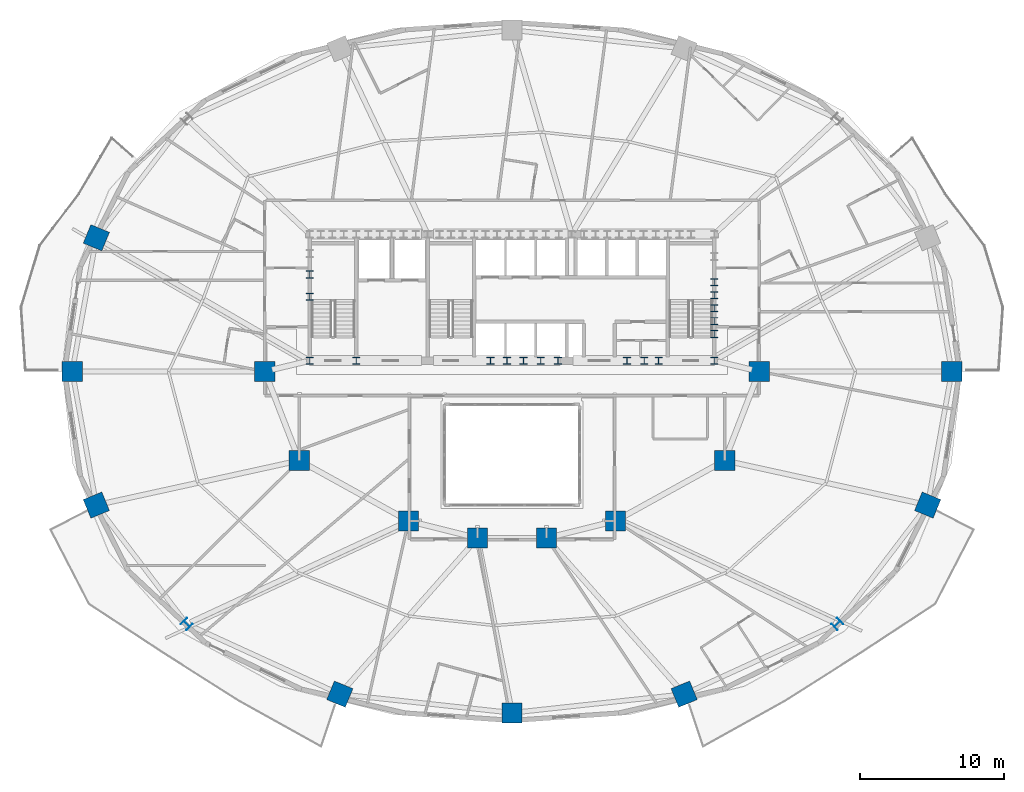
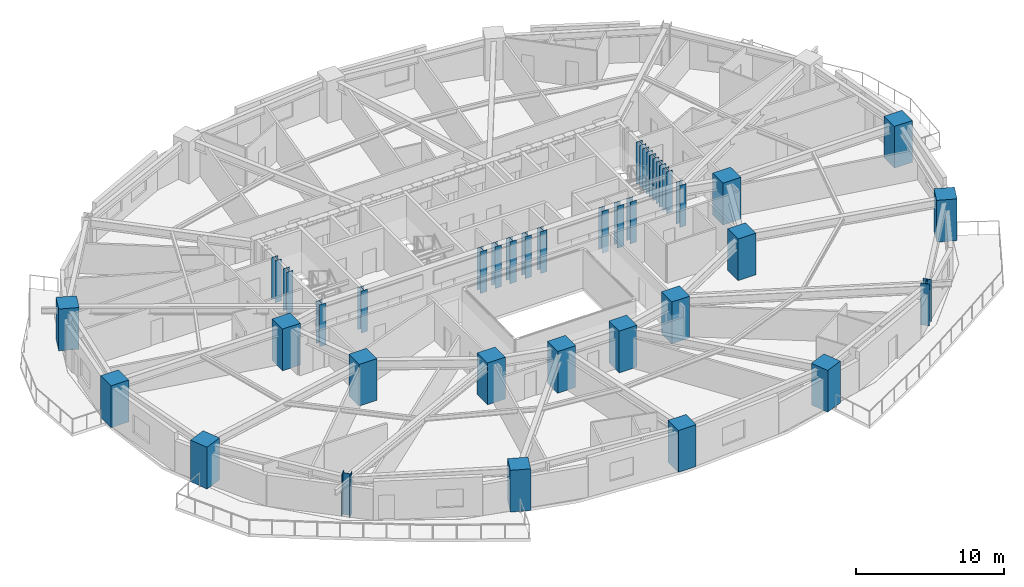
# One storey, part 1 of 17: 36 columns.
"""IFC4 building model written with IfcOpenShell, lengths in metres."""

from ifc_helpers import new_model, si_unit, direction, frame, origin, origin_2d, place, context, subcontext, project, spatial, rectangle, i_section, extrude, material, material_profile, profile_set, type_object, element, save


model = new_model("IFC4")

# Units and contexts
model_context = context("Model", 3, precision=1e-05, world=origin(), true_north=direction((0.0, 1.0)))
body_context = subcontext(model_context, "Body", "Model", "MODEL_VIEW")
ifc_project = project(units=[si_unit("LENGTHUNIT", "METRE"), si_unit("AREAUNIT", "SQUARE_METRE"), si_unit("VOLUMEUNIT", "CUBIC_METRE"), si_unit("PLANEANGLEUNIT", "RADIAN"), si_unit("MASSUNIT", "GRAM", prefix="KILO")], contexts=[model_context])

# Site, building, storey
site_placement = place(None, origin())
site = spatial("IfcSite", under=ifc_project, at=site_placement, CompositionType="ELEMENT")
building_placement = place(site_placement, origin())
building = spatial("IfcBuilding", under=site, at=building_placement, Name="Haldorwick Loom Tower", CompositionType="ELEMENT")
storey_placement = place(building_placement, frame((0.0, 0.0, 58.5)))
storey = spatial("IfcBuildingStorey", under=building, at=storey_placement, Name="L15", CompositionType="ELEMENT", Elevation=58.5)

# Columns
ifc_material_1 = material(Name="Concrete C60 (60 MPa)", Category="concrete")
ifc_material_profile_1 = material_profile(ifc_material_1, rectangle(XDim=1.39990234375, YDim=1.39990234375, at=origin_2d()), Name="RC1400X1400", Category="concrete")
ifc_profile_set_1 = profile_set([ifc_material_profile_1], Name="Concrete C60 (60 MPa)")
column_type_1 = type_object("IfcColumnType", Name="STR-COL-MEGA1400", PredefinedType="COLUMN", material=ifc_profile_set_1)
for number, where, z_axis, x_axis, name in (
    (1, (53.199951171875, 26.0, 0.0), (0.0, 0.0, 1.0), (1.0, 0.0, 0.0), "L15 Inner Column IC-01"),
    (2, (50.800048828125, 19.800048828125, 0.0), (0.0, 0.0, 1.0), (1.0, 0.0, 0.0), "L15 Inner Column IC-02"),
    (3, (43.199951171875, 15.60009765625, 0.0), (0.0, 0.0, 1.0), (1.0, 0.0, 0.0), "L15 Inner Column IC-03"),
    (4, (38.39990234375, 14.39990234375, 0.0), (0.0, 0.0, 1.0), (1.0, 0.0, 0.0), "L15 Inner Column IC-04"),
    (5, (33.60009765625, 14.39990234375, 0.0), (0.0, 0.0, 1.0), (1.0, 0.0, 0.0), "L15 Inner Column IC-05"),
    (6, (28.800048828125, 15.60009765625, 0.0), (0.0, 0.0, 1.0), (1.0, 0.0, 0.0), "L15 Inner Column IC-06"),
    (7, (21.199951171875, 19.800048828125, 0.0), (0.0, 0.0, 1.0), (1.0, 0.0, 0.0), "L15 Inner Column IC-07"),
    (8, (18.800048828125, 26.0, 0.0), (0.0, 0.0, 1.0), (1.0, 0.0, 0.0), "L15 Inner Column IC-08"),
):
    element("IfcColumn", number, at=place(storey_placement, frame(where, z_axis=z_axis, x_axis=x_axis)), inside=storey, type_object=column_type_1, Name=name, PredefinedType="COLUMN", context=body_context, shape_type="SweptSolid", body=[
        extrude(rectangle(XDim=1.39990234375, YDim=1.39990234375, at=origin_2d()), origin(), (0.0, 0.0, 1.0), 3.449951171875),
    ])
ifc_material_profile_2 = material_profile(ifc_material_1, rectangle(XDim=1.39990234375, YDim=1.39990234375, at=origin_2d()), Name="RC1400X1400", Category="concrete")
ifc_profile_set_2 = profile_set([ifc_material_profile_2], Name="Concrete C60 (60 MPa)")
column_type_2 = type_object("IfcColumnType", Name="STR-COL-RC1400", PredefinedType="PILASTER", material=ifc_profile_set_2)
for number, where, z_axis, x_axis, name in (
    (9, (66.595947265625, 26.0, 0.0), (0.0, 0.0, 1.0), (1.0, 0.0, 0.0), "L15 Perimeter Pier Column P01"),
    (10, (7.08251953125, 35.29931640625, 0.0), (0.0, 0.0, 1.0), (-0.923879532511, 0.382683432365, 0.0), "L15 Perimeter Pier Column P08"),
    (11, (5.404052734375, 26.0, 0.0), (0.0, 0.0, 1.0), (-1.0, 0.0, 0.0), "L15 Perimeter Pier Column P09"),
    (12, (7.08251953125, 16.70068359375, 0.0), (0.0, 0.0, 1.0), (-0.923879532511, -0.382683432365, 0.0), "L15 Perimeter Pier Column P10"),
    (13, (24.02197265625, 3.5498046875, 0.0), (0.0, 0.0, 1.0), (-0.382683432365, -0.923879532511, 0.0), "L15 Perimeter Pier Column P12"),
    (14, (36.0, 2.25, 0.0), (0.0, 0.0, 1.0), (0.0, -1.0, 0.0), "L15 Perimeter Pier Column P13"),
    (15, (47.97802734375, 3.5498046875, 0.0), (0.0, 0.0, 1.0), (0.382683432365, -0.923879532511, 0.0), "L15 Perimeter Pier Column P14"),
    (16, (64.91748046875, 16.70068359375, 0.0), (0.0, 0.0, 1.0), (0.923879532511, -0.382683432365, 0.0), "L15 Perimeter Pier Column P16"),
):
    element("IfcColumn", number, at=place(storey_placement, frame(where, z_axis=z_axis, x_axis=x_axis)), inside=storey, type_object=column_type_2, Name=name, PredefinedType="PILASTER", context=body_context, shape_type="SweptSolid", body=[
        extrude(rectangle(XDim=1.39990234375, YDim=1.39990234375, at=origin_2d()), origin(), (0.0, 0.0, 1.0), 3.449951171875),
    ])
ifc_material_2 = material(Name="Steel CSA G40.21 350WT", Category="steel")
ifc_material_profile_3 = material_profile(ifc_material_2, i_section(OverallWidth=0.5, OverallDepth=0.5, WebThickness=0.02197265625, FlangeThickness=0.031982421875, at=origin_2d()), Name="WWF500X500", Category="steel")
ifc_profile_set_3 = profile_set([ifc_material_profile_3], Name="Steel CSA G40.21 350WT")
column_type_3 = type_object("IfcColumnType", Name="STR-COL-WWF500", PredefinedType="COLUMN", material=ifc_profile_set_3)
for number, where, z_axis, x_axis, name in (
    (17, (21.929931640625, 26.75, 0.0), (0.0, 0.0, 1.0), (1.0, 0.0, 0.0), "L15 Core Pilaster CB-19"),
    (18, (25.169921875, 26.75, 0.0), (0.0, 0.0, 1.0), (1.0, 0.0, 0.0), "L15 Core Pilaster CB-20"),
    (19, (34.5, 26.75, 0.0), (0.0, 0.0, 1.0), (1.0, 0.0, 0.0), "L15 Core Pilaster CB-21"),
    (20, (36.800048828125, 26.75, 0.0), (0.0, 0.0, 1.0), (1.0, 0.0, 0.0), "L15 Core Pilaster CB-22"),
    (21, (39.199951171875, 26.75, 0.0), (0.0, 0.0, 1.0), (1.0, 0.0, 0.0), "L15 Core Pilaster CB-23"),
    (22, (45.199951171875, 26.75, 0.0), (0.0, 0.0, 1.0), (1.0, 0.0, 0.0), "L15 Core Pilaster CB-24"),
    (23, (50.070068359375, 26.75, 0.0), (0.0, 0.0, 1.0), (1.0, 0.0, 0.0), "L15 Core Pilaster CB-25"),
    (24, (21.929931640625, 31.199951171875, 0.0), (0.0, 0.0, 1.0), (1.0, 0.0, 0.0), "L15 Core Pilaster CB-26"),
    (25, (21.929931640625, 32.75, 0.0), (0.0, 0.0, 1.0), (1.0, 0.0, 0.0), "L15 Core Pilaster CB-27"),
    (26, (50.070068359375, 28.60009765625, 0.0), (0.0, 0.0, 1.0), (1.0, 0.0, 0.0), "L15 Core Pilaster CB-29"),
    (27, (50.070068359375, 30.39990234375, 0.0), (0.0, 0.0, 1.0), (1.0, 0.0, 0.0), "L15 Core Pilaster CB-30"),
    (28, (50.070068359375, 32.199951171875, 0.0), (0.0, 0.0, 1.0), (1.0, 0.0, 0.0), "L15 Core Pilaster CB-31"),
    (29, (50.070068359375, 29.5, 0.0), (0.0, 0.0, 1.0), (1.0, 0.0, 0.0), "L15 Core Pilaster CB-49"),
    (30, (50.070068359375, 31.300048828125, 0.0), (0.0, 0.0, 1.0), (1.0, 0.0, 0.0), "L15 Core Pilaster CB-50"),
    (31, (35.64990234375, 26.75, 0.0), (0.0, 0.0, 1.0), (1.0, 0.0, 0.0), "L15 Core Pilaster CB-51"),
    (32, (38.0, 26.75, 0.0), (0.0, 0.0, 1.0), (1.0, 0.0, 0.0), "L15 Core Pilaster CB-52"),
    (33, (44.0, 26.75, 0.0), (0.0, 0.0, 1.0), (1.0, 0.0, 0.0), "L15 Core Pilaster CB-53"),
    (34, (46.199951171875, 26.75, 0.0), (0.0, 0.0, 1.0), (1.0, 0.0, 0.0), "L15 Core Pilaster CB-54"),
):
    element("IfcColumn", number, at=place(storey_placement, frame(where, z_axis=z_axis, x_axis=x_axis)), inside=storey, type_object=column_type_3, Name=name, PredefinedType="COLUMN", context=body_context, shape_type="SweptSolid", body=[
        extrude(i_section(OverallWidth=0.5, OverallDepth=0.5, WebThickness=0.02197265625, FlangeThickness=0.031982421875, at=origin_2d()), origin(), (0.0, 0.0, 1.0), 3.449951171875),
    ])
ifc_material_profile_4 = material_profile(ifc_material_2, i_section(OverallWidth=0.60009765625, OverallDepth=0.60009765625, WebThickness=0.02490234375, FlangeThickness=0.035888671875, at=origin_2d()), Name="WWF600X600", Category="steel")
ifc_profile_set_4 = profile_set([ifc_material_profile_4], Name="Steel CSA G40.21 350WT")
column_type_4 = type_object("IfcColumnType", Name="STR-COL-WWF600", PredefinedType="COLUMN", material=ifc_profile_set_4)
for number, where, z_axis, x_axis, name in (
    (35, (13.369873046875, 8.428466796875, 0.0), (0.0, 0.0, 1.0), (-0.707106781187, -0.707106781187, 0.0), "L15 Perimeter Pier Column P11"),
    (36, (58.630126953125, 8.428466796875, 0.0), (0.0, 0.0, 1.0), (0.707106781187, -0.707106781187, 0.0), "L15 Perimeter Pier Column P15"),
):
    element("IfcColumn", number, at=place(storey_placement, frame(where, z_axis=z_axis, x_axis=x_axis)), inside=storey, type_object=column_type_4, Name=name, PredefinedType="COLUMN", context=body_context, shape_type="SweptSolid", body=[
        extrude(i_section(OverallWidth=0.60009765625, OverallDepth=0.60009765625, WebThickness=0.02490234375, FlangeThickness=0.035888671875, at=origin_2d()), origin(), (0.0, 0.0, 1.0), 3.449951171875),
    ])

save(model, "model.ifc")
